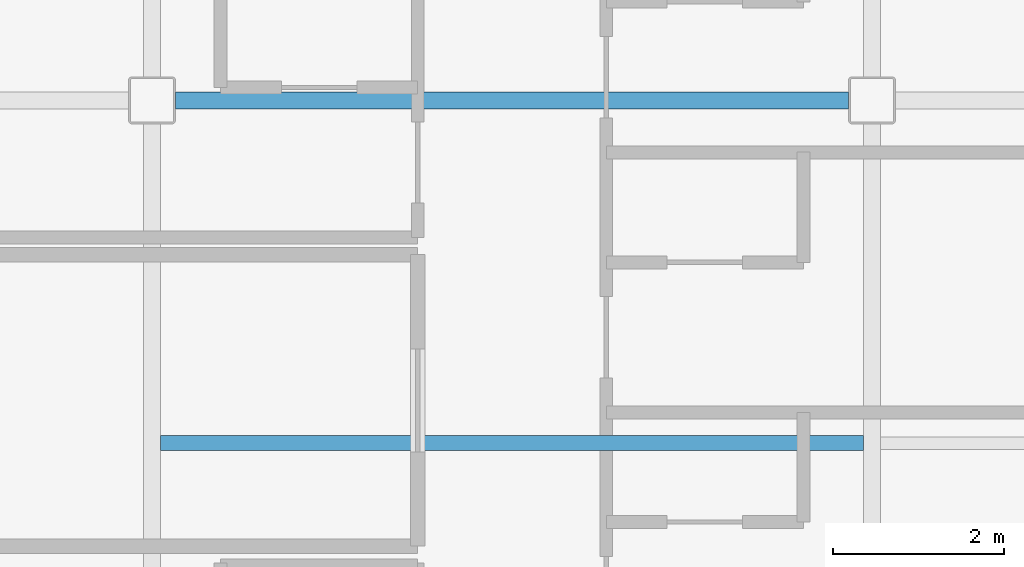
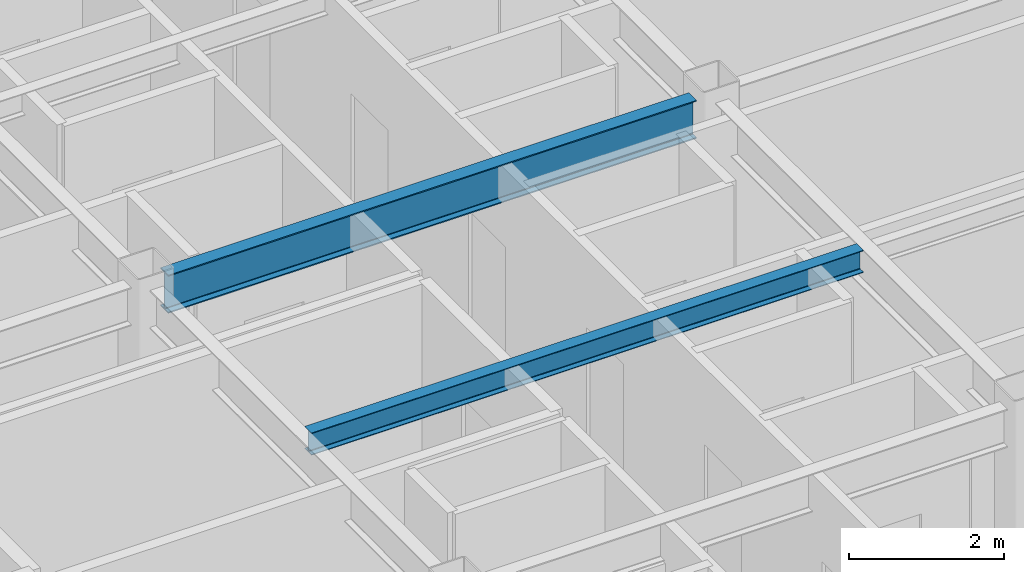
# One storey, part 9 of 36: 2 beams.
"""IFC4 building model written with IfcOpenShell, lengths in metres."""

from ifc_helpers import new_model, si_unit, direction, frame, origin, origin_2d, place, context, subcontext, project, spatial, i_section, extrude, material, material_profile, profile_set, type_object, element, save


model = new_model("IFC4")

# Units and contexts
model_context = context("Model", 3, precision=1e-05, world=origin(), true_north=direction((0.0, 1.0)))
body_context = subcontext(model_context, "Body", "Model", "MODEL_VIEW")
ifc_project = project(units=[si_unit("LENGTHUNIT", "METRE"), si_unit("AREAUNIT", "SQUARE_METRE"), si_unit("VOLUMEUNIT", "CUBIC_METRE"), si_unit("PLANEANGLEUNIT", "RADIAN"), si_unit("MASSUNIT", "GRAM", prefix="KILO")], contexts=[model_context])

# Site, building, storey
site_placement = place(None, origin())
site = spatial("IfcSite", under=ifc_project, at=site_placement, CompositionType="ELEMENT")
building_placement = place(site_placement, origin())
building = spatial("IfcBuilding", under=site, at=building_placement, Name="Kazehara Bluff Congress Hotel", CompositionType="ELEMENT")
storey_placement = place(building_placement, frame((0.0, 0.0, 31.800048828125)))
storey = spatial("IfcBuildingStorey", under=building, at=storey_placement, Name="L07", CompositionType="ELEMENT", Elevation=31.800048828125)

# Beams
ifc_material_1 = material(Name="Steel SN490B", Category="steel")
ifc_material_profile_1 = material_profile(ifc_material_1, i_section(OverallWidth=0.199951171875, OverallDepth=0.60009765625, WebThickness=0.010986328125, FlangeThickness=0.01708984375, FilletRadius=0.012939453125, at=origin_2d()))
ifc_profile_set_1 = profile_set([ifc_material_profile_1], Name="Steel SN490B")
beam_type_1 = type_object("IfcBeamType", Name="TP-G-02", PredefinedType="BEAM", material=ifc_profile_set_1)
beam_1_placement = place(storey_placement, frame((152.375, 32.0, 3.079833984375), z_axis=(1.0, 0.0, 0.0), x_axis=(0.0, 1.0, 0.0)))
element("IfcBeam", 1, at=beam_1_placement, inside=storey, type_object=beam_type_1, Name="L07 girder G-02 46", PredefinedType="BEAM", context=body_context, shape_type="SweptSolid", body=[
    extrude(i_section(OverallWidth=0.199951171875, OverallDepth=0.60009765625, WebThickness=0.010986328125, FlangeThickness=0.01708984375, FilletRadius=0.012939453125, at=origin_2d()), origin(), (0.0, 0.0, 1.0), 7.85009765625),
])
ifc_material_2 = material(Name="Steel SN400B", Category="steel")
ifc_material_profile_2 = material_profile(ifc_material_2, i_section(OverallWidth=0.175048828125, OverallDepth=0.35009765625, WebThickness=0.007080078125, FlangeThickness=0.010986328125, FilletRadius=0.012939453125, at=origin_2d()))
ifc_profile_set_2 = profile_set([ifc_material_profile_2], Name="Steel SN400B")
beam_type_2 = type_object("IfcBeamType", Name="TP-J-02", PredefinedType="JOIST", material=ifc_profile_set_2)
beam_2_placement = place(storey_placement, frame((152.199951171875, 28.0, 3.204833984375), z_axis=(1.0, 0.0, 0.0), x_axis=(0.0, 1.0, 0.0)))
element("IfcBeam", 2, at=beam_2_placement, inside=storey, type_object=beam_type_2, Name="L07 secondary joist J-02 9", PredefinedType="JOIST", context=body_context, shape_type="SweptSolid", body=[
    extrude(i_section(OverallWidth=0.175048828125, OverallDepth=0.35009765625, WebThickness=0.007080078125, FlangeThickness=0.010986328125, FilletRadius=0.012939453125, at=origin_2d()), origin(), (0.0, 0.0, 1.0), 8.199951171875),
])

save(model, "model.ifc")
